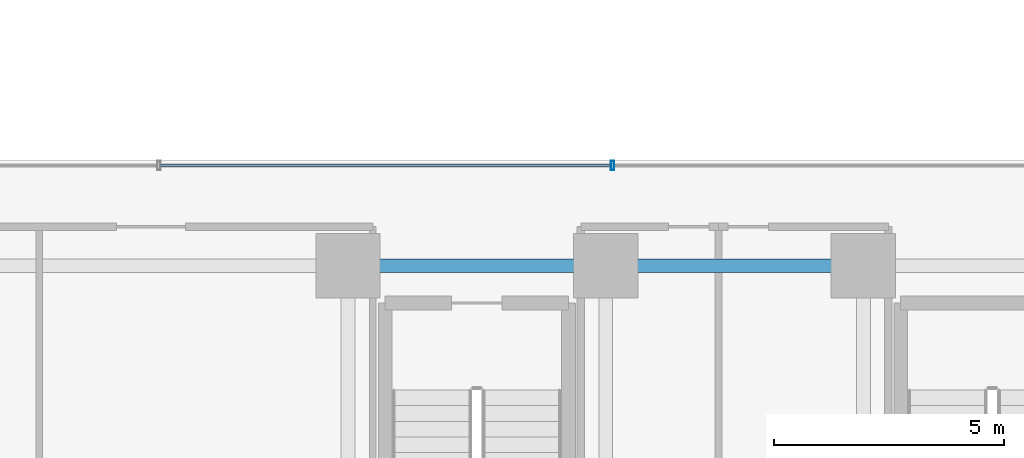
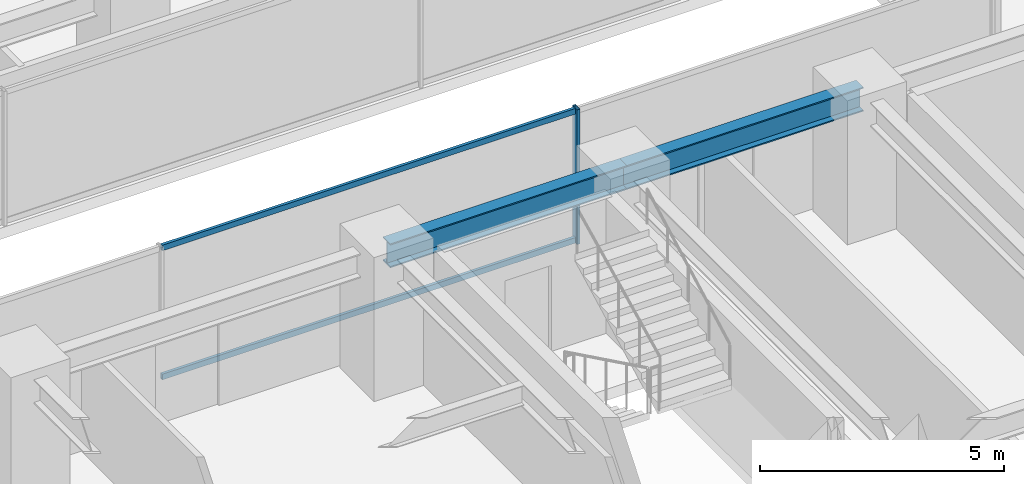
# One storey, part 11 of 41: 3 members, 2 beams, 1 element without a shape of its own.
"""IFC4 building model written with IfcOpenShell, lengths in metres."""

from ifc_helpers import new_model, si_unit, direction, frame, origin, origin_2d, place, context, subcontext, project, spatial, hollow_rectangle, i_section, extrude, source, transform, mapped, material, material_profile, profile_set, type_object, element, aggregate, save


model = new_model("IFC4")

# Units and contexts
model_context = context("Model", 3, precision=1e-05, world=origin(), true_north=direction((0.0, 1.0)))
body_context = subcontext(model_context, "Body", "Model", "MODEL_VIEW")
ifc_project = project(units=[si_unit("LENGTHUNIT", "METRE"), si_unit("AREAUNIT", "SQUARE_METRE"), si_unit("VOLUMEUNIT", "CUBIC_METRE"), si_unit("PLANEANGLEUNIT", "RADIAN"), si_unit("MASSUNIT", "GRAM", prefix="KILO")], contexts=[model_context])

# Site, building, storey
site_placement = place(None, origin())
site = spatial("IfcSite", under=ifc_project, at=site_placement, CompositionType="ELEMENT")
building_placement = place(site_placement, origin())
building = spatial("IfcBuilding", under=site, at=building_placement, Name="Nahalor Promenade Grand Hotel", CompositionType="ELEMENT")
storey_placement = place(building_placement, frame((0.0, 0.0, 54.300048828125)))
storey = spatial("IfcBuildingStorey", under=building, at=storey_placement, Name="L12", CompositionType="ELEMENT", Elevation=54.300048828125)

# Beams
ifc_material_1 = material(Name="Steel S355JR", Category="steel")
ifc_material_profile_1 = material_profile(ifc_material_1, i_section(OverallWidth=0.3, OverallDepth=0.6, WebThickness=0.0155, FlangeThickness=0.03, at=origin_2d()), Name="HEB 600")
ifc_profile_set_1 = profile_set([ifc_material_profile_1], Name="Steel S355JR")
beam_type = type_object("IfcBeamType", Name="Beam-Girder-HEB600", PredefinedType="BEAM", material=ifc_profile_set_1)
shared_shape_1 = source(origin(), body_context, "Body", "SweptSolid", [
    extrude(i_section(OverallWidth=0.3, OverallDepth=0.6, WebThickness=0.0155, FlangeThickness=0.03, at=origin_2d()), origin(), (0.0, 0.0, 1.0), 5.599853515625),
])
beam_1_placement = place(storey_placement, frame((-8.39990234375, -5.39990234375, 3.070068359375), z_axis=(1.0, 0.0, 0.0), x_axis=(0.0, 1.0, 0.0)))
element("IfcBeam", 1, at=beam_1_placement, inside=storey, type_object=beam_type, Name="BM-L12-GX-1-2", PredefinedType="BEAM", context=body_context, shape_type="MappedRepresentation", body=[
    mapped(shared_shape_1, transform((0.0, 0.0, 0.0), scale=1.0)),
])
shared_shape_2 = source(origin(), body_context, "Body", "SweptSolid", [
    extrude(i_section(OverallWidth=0.3, OverallDepth=0.6, WebThickness=0.0155, FlangeThickness=0.03, at=origin_2d()), origin(), (0.0, 0.0, 1.0), 5.60009765625),
])
beam_2_placement = place(storey_placement, frame((-2.800048828125, -5.39990234375, 3.070068359375), z_axis=(1.0, 0.0, 0.0), x_axis=(0.0, 1.0, 0.0)))
element("IfcBeam", 2, at=beam_2_placement, inside=storey, type_object=beam_type, Name="BM-L12-GX-1-3", PredefinedType="BEAM", context=body_context, shape_type="MappedRepresentation", body=[
    mapped(shared_shape_2, transform((0.0, 0.0, 0.0), scale=1.0)),
])

# Curtain wall, members
ifc_material_2 = material(Name="Anodised Bronze Aluminium EN AW-6063 T6", Category="aluminium")
curtain_wall_type = type_object("IfcCurtainWallType", Name="CW3 Elliptical-Void Collar Unitised Curtain Wall", PredefinedType="USERDEFINED", material=ifc_material_2)
curtain_wall_placement = place(storey_placement, origin())
curtain_wall = element("IfcCurtainWall", 3, at=curtain_wall_placement, inside=storey, type_object=curtain_wall_type, Name="L12 Curtain Wall CW-L12-VOID-WS1", ObjectType="UNITISED_CURTAIN_WALL", PredefinedType="USERDEFINED")
ifc_material_profile_2 = material_profile(ifc_material_2, hollow_rectangle(XDim=0.07, YDim=0.2, WallThickness=0.005, at=origin_2d()), Name="CWM 70x200x5")
ifc_profile_set_2 = profile_set([ifc_material_profile_2], Name="Anodised Bronze Aluminium EN AW-6063 T6")
member_type_1 = type_object("IfcMemberType", Name="CWM3 Void Collar Mullion 70x200", PredefinedType="MULLION", material=ifc_profile_set_2)
shared_shape_3 = source(origin(), body_context, "Body", "SweptSolid", [
    extrude(hollow_rectangle(XDim=0.07, YDim=0.2, WallThickness=0.005, at=origin_2d()), origin(), (0.0, 0.0, 1.0), 3.369873046875),
])
member_1_placement = place(storey_placement, frame((-2.6533203125, -3.219970703125, 0.0), z_axis=(0.0, 0.0, 1.0), x_axis=(1.0, 0.0, 0.0)))
member_1 = element("IfcMember", 4, at=member_1_placement, type_object=member_type_1, Name="CW-L12-VOID-WS1 Mullion 2", PredefinedType="MULLION", context=body_context, shape_type="MappedRepresentation", body=[
    mapped(shared_shape_3, transform((0.0, 0.0, 0.0), scale=1.0)),
])
ifc_material_profile_3 = material_profile(ifc_material_2, hollow_rectangle(XDim=0.07, YDim=0.14, WallThickness=0.004, at=origin_2d()), Name="CWT 70x140x4")
ifc_profile_set_3 = profile_set([ifc_material_profile_3], Name="Anodised Bronze Aluminium EN AW-6063 T6")
member_type_2 = type_object("IfcMemberType", Name="CWT3 Void Collar Transom 70x140", PredefinedType="USERDEFINED", material=ifc_profile_set_3)
shared_shape_4 = source(origin(), body_context, "Body", "SweptSolid", [
    extrude(hollow_rectangle(XDim=0.07, YDim=0.14, WallThickness=0.004, at=origin_2d()), origin(), (0.0, 0.0, 1.0), 9.783447265625),
])
member_2_placement = place(storey_placement, frame((-12.4716796875, -3.219970703125, 0.070068359375), z_axis=(1.0, 0.0, 0.0), x_axis=(0.0, 1.0, 0.0)))
member_2 = element("IfcMember", 5, at=member_2_placement, type_object=member_type_2, Name="CW-L12-VOID-WS1 Transom 1-0", ObjectType="TRANSOM", PredefinedType="USERDEFINED", context=body_context, shape_type="MappedRepresentation", body=[
    mapped(shared_shape_4, transform((0.0, 0.0, 0.0), scale=1.0)),
])
member_3_placement = place(storey_placement, frame((-12.4716796875, -3.219970703125, 3.300048828125), z_axis=(1.0, 0.0, 0.0), x_axis=(0.0, 1.0, 0.0)))
member_3 = element("IfcMember", 6, at=member_3_placement, type_object=member_type_2, Name="CW-L12-VOID-WS1 Transom 1-1", ObjectType="TRANSOM", PredefinedType="USERDEFINED", context=body_context, shape_type="MappedRepresentation", body=[
    mapped(shared_shape_4, transform((0.0, 0.0, 0.0), scale=1.0)),
])
aggregate(curtain_wall, [member_1, member_2, member_3])

save(model, "model.ifc")
